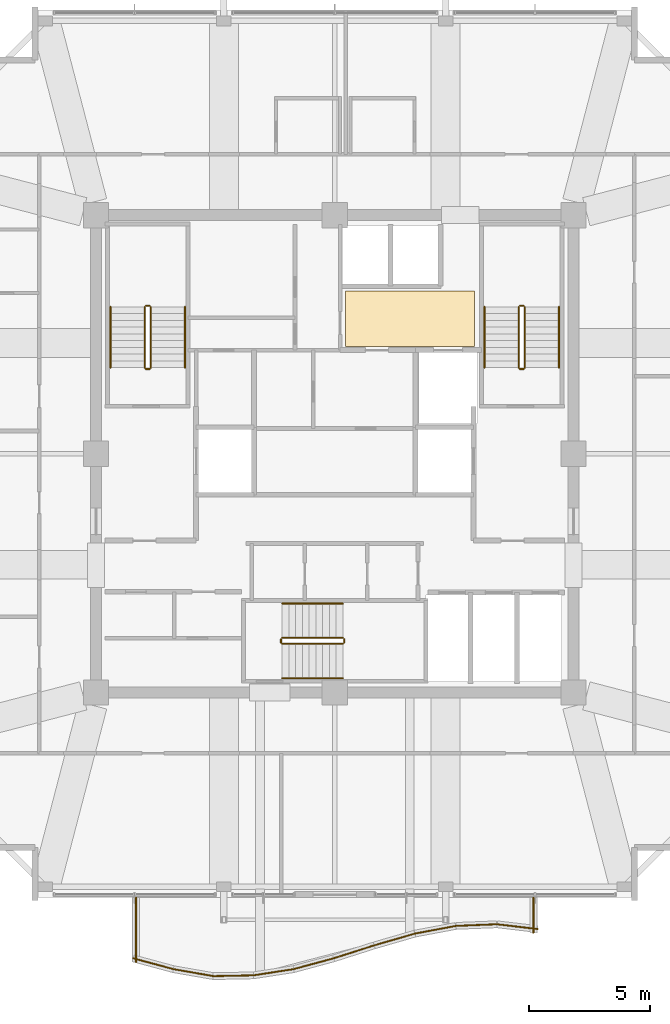
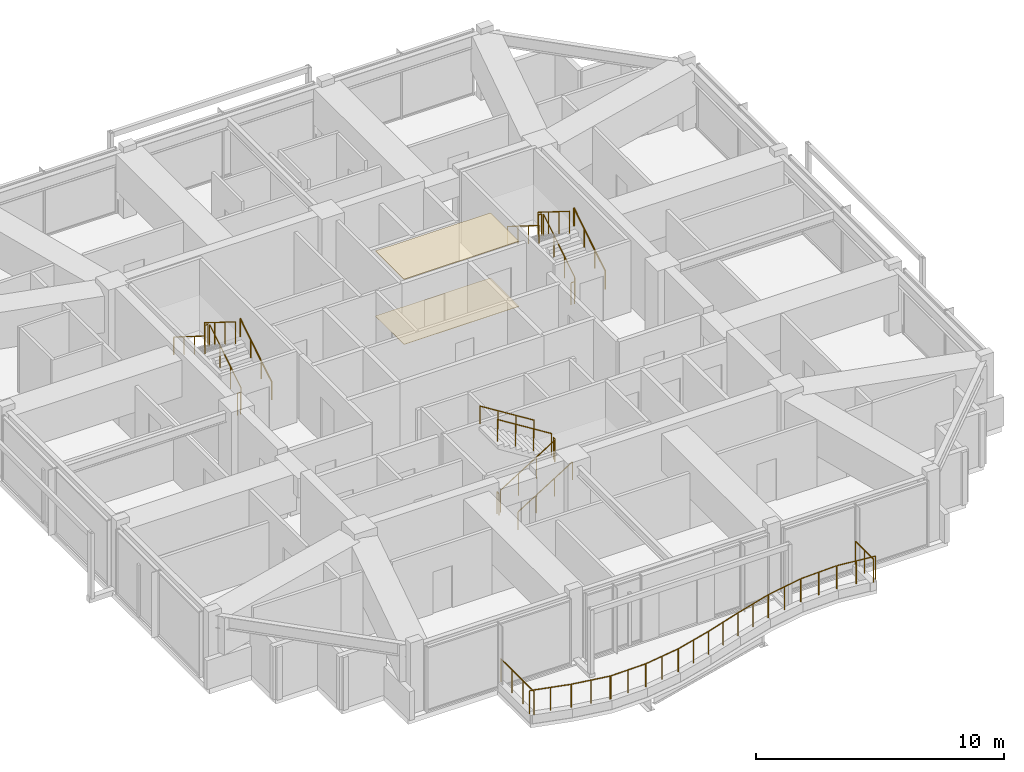
# One storey, part 30 of 30: 30 railings, 2 coverings.
"""IFC4 building model written with IfcOpenShell, lengths in metres."""

from ifc_helpers import new_model, si_unit, direction, frame, origin, origin_2d, place, context, subcontext, project, spatial, polyline, circle, outline, extrude, material, layer, layer_set, type_object, element, save


model = new_model("IFC4")

# Units and contexts
model_context = context("Model", 3, precision=1e-05, world=origin(), true_north=direction((0.0, 1.0)))
body_context = subcontext(model_context, "Body", "Model", "MODEL_VIEW")
ifc_project = project(units=[si_unit("LENGTHUNIT", "METRE"), si_unit("AREAUNIT", "SQUARE_METRE"), si_unit("VOLUMEUNIT", "CUBIC_METRE"), si_unit("PLANEANGLEUNIT", "RADIAN"), si_unit("MASSUNIT", "GRAM", prefix="KILO")], contexts=[model_context])

# Site, building, storey
site_placement = place(None, origin())
site = spatial("IfcSite", under=ifc_project, at=site_placement, CompositionType="ELEMENT")
building_placement = place(site_placement, origin())
building = spatial("IfcBuilding", under=site, at=building_placement, Name="Kolvaren Belvedere", CompositionType="ELEMENT")
storey_placement = place(building_placement, frame((0.0, 0.0, 254.89990234375)))
storey = spatial("IfcBuildingStorey", under=building, at=storey_placement, Name="L74", CompositionType="ELEMENT", Elevation=254.89990234375)

# Coverings
ifc_material_1 = material(Name="Acoustic perforated gypsum board", Category="gypsum")
ifc_layer_1 = layer(ifc_material_1, 0.02490234375)
ifc_layer_set_1 = layer_set([ifc_layer_1], Name="Acoustic perforated gypsum board")
covering_type_1 = type_object("IfcCoveringType", Name="COV-CEIL-GYP", PredefinedType="CEILING", material=ifc_layer_set_1)
covering_1_placement = place(storey_placement, frame((0.0, 0.0, 3.195068359375)))
element("IfcCovering", 1, at=covering_1_placement, inside=storey, type_object=covering_type_1, Name="L74 Lift Lobby Acoustic Baffle Ceiling", PredefinedType="CEILING", context=body_context, shape_type="SweptSolid", body=[
    extrude(outline(polyline([(0.449951171875, 4.449951171875), (5.800048828125, 4.449951171875), (5.800048828125, 6.75), (0.449951171875, 6.75), (0.449951171875, 4.449951171875)])), origin(), (0.0, 0.0, 1.0), 0.025146484375),
])
ifc_material_2 = material(Name="Engineered Pacific white oak", Category="timber")
ifc_layer_2 = layer(ifc_material_2, 0.02001953125)
ifc_layer_set_2 = layer_set([ifc_layer_2], Name="Engineered Pacific white oak")
covering_type_2 = type_object("IfcCoveringType", Name="COV-FLR-OAK", PredefinedType="FLOORING", material=ifc_layer_set_2)
covering_2_placement = place(storey_placement, origin())
element("IfcCovering", 2, at=covering_2_placement, inside=storey, type_object=covering_type_2, Name="L74 Lift Lobby Finish Flooring", PredefinedType="FLOORING", context=body_context, shape_type="SweptSolid", body=[
    extrude(outline(polyline([(0.449951171875, 4.449951171875), (5.800048828125, 4.449951171875), (5.800048828125, 6.75), (0.449951171875, 6.75), (0.449951171875, 4.449951171875)])), origin(), (0.0, 0.0, 1.0), 0.02001953125),
])

# Railings
ifc_material_3 = material(Name="Anodised pale-metal aluminium & laminated glass guard", Category="aluminium")
railing_type_1 = type_object("IfcRailingType", Name="RL-GUARD-1150", PredefinedType="GUARDRAIL", material=ifc_material_3)
railing_1_placement = place(storey_placement, frame((-8.3583984375, -20.919189453125, 0.35009765625)))
element("IfcRailing", 3, at=railing_1_placement, inside=storey, type_object=railing_type_1, Name="L74 Exterior Deck Safety Guard BAL-S-1", PredefinedType="GUARDRAIL", context=body_context, shape_type="SweptSolid", body=[
    extrude(circle(Radius=0.02392578125, at=origin_2d()), frame((0.0, 0.0, 1.1259765625), z_axis=(0.965434024814, -0.260647546949, 0.0), x_axis=(0.260647546949, 0.965434024814, 0.0)), (0.0, 0.0, 1.0), 1.740234375),
    extrude(circle(Radius=0.02099609375, at=origin_2d()), origin(), (0.0, 0.0, 1.0), 1.101806640625),
    extrude(circle(Radius=0.02099609375, at=origin_2d()), frame((0.840087890625, -0.226806640625, 0.0)), (0.0, 0.0, 1.0), 1.101806640625),
    extrude(circle(Radius=0.02099609375, at=origin_2d()), frame((1.68017578125, -0.45361328125, 0.0)), (0.0, 0.0, 1.0), 1.101806640625),
])
railing_2_placement = place(storey_placement, frame((-6.6923828125, -21.36962890625, 0.35009765625)))
element("IfcRailing", 4, at=railing_2_placement, inside=storey, type_object=railing_type_1, Name="L74 Exterior Deck Safety Guard BAL-S-2", PredefinedType="GUARDRAIL", context=body_context, shape_type="SweptSolid", body=[
    extrude(circle(Radius=0.02392578125, at=origin_2d()), frame((0.0, 0.0, 1.1259765625), z_axis=(0.985156010777, -0.171661394699, 0.0), x_axis=(0.171661394699, 0.985156010777, 0.0)), (0.0, 0.0, 1.0), 1.705322265625),
    extrude(circle(Radius=0.02099609375, at=origin_2d()), origin(), (0.0, 0.0, 1.0), 1.101806640625),
    extrude(circle(Radius=0.02099609375, at=origin_2d()), frame((0.83984375, -0.146484375, 0.0)), (0.0, 0.0, 1.0), 1.101806640625),
    extrude(circle(Radius=0.02099609375, at=origin_2d()), frame((1.679931640625, -0.292724609375, 0.0)), (0.0, 0.0, 1.0), 1.101806640625),
])
railing_3_placement = place(storey_placement, frame((-5.043212890625, -21.659912109375, 0.35009765625)))
element("IfcRailing", 5, at=railing_3_placement, inside=storey, type_object=railing_type_1, Name="L74 Exterior Deck Safety Guard BAL-S-3", PredefinedType="GUARDRAIL", context=body_context, shape_type="SweptSolid", body=[
    extrude(circle(Radius=0.02392578125, at=origin_2d()), frame((0.0, 0.0, 1.1259765625), z_axis=(0.99979895463, 0.020051192521, 0.0), x_axis=(-0.020051192521, 0.99979895463, 0.0)), (0.0, 0.0, 1.0), 1.68017578125),
    extrude(circle(Radius=0.02099609375, at=origin_2d()), origin(), (0.0, 0.0, 1.0), 1.101806640625),
    extrude(circle(Radius=0.02099609375, at=origin_2d()), frame((0.83984375, 0.016845703125, 0.0)), (0.0, 0.0, 1.0), 1.101806640625),
    extrude(circle(Radius=0.02099609375, at=origin_2d()), frame((1.679931640625, 0.03369140625, 0.0)), (0.0, 0.0, 1.0), 1.101806640625),
])
railing_4_placement = place(storey_placement, frame((-3.384521484375, -21.6279296875, 0.35009765625)))
element("IfcRailing", 6, at=railing_4_placement, inside=storey, type_object=railing_type_1, Name="L74 Exterior Deck Safety Guard BAL-S-4", PredefinedType="GUARDRAIL", context=body_context, shape_type="SweptSolid", body=[
    extrude(circle(Radius=0.02392578125, at=origin_2d()), frame((0.0, 0.0, 1.1259765625), z_axis=(0.988345118302, 0.152229849666, 0.0), x_axis=(-0.152229849666, 0.988345118302, 0.0)), (0.0, 0.0, 1.0), 1.699951171875),
    extrude(circle(Radius=0.02099609375, at=origin_2d()), origin(), (0.0, 0.0, 1.0), 1.101806640625),
    extrude(circle(Radius=0.02099609375, at=origin_2d()), frame((0.840087890625, 0.12939453125, 0.0)), (0.0, 0.0, 1.0), 1.101806640625),
    extrude(circle(Radius=0.02099609375, at=origin_2d()), frame((1.68017578125, 0.2587890625, 0.0)), (0.0, 0.0, 1.0), 1.101806640625),
])
railing_5_placement = place(storey_placement, frame((-1.7216796875, -21.372802734375, 0.35009765625)))
element("IfcRailing", 7, at=railing_5_placement, inside=storey, type_object=railing_type_1, Name="L74 Exterior Deck Safety Guard BAL-S-5", PredefinedType="GUARDRAIL", context=body_context, shape_type="SweptSolid", body=[
    extrude(circle(Radius=0.02392578125, at=origin_2d()), frame((0.0, 0.0, 1.1259765625), z_axis=(0.965424492388, 0.260682852326, 0.0), x_axis=(-0.260682852326, 0.965424492388, 0.0)), (0.0, 0.0, 1.0), 1.739990234375),
    extrude(circle(Radius=0.02099609375, at=origin_2d()), origin(), (0.0, 0.0, 1.0), 1.101806640625),
    extrude(circle(Radius=0.02099609375, at=origin_2d()), frame((0.83984375, 0.226806640625, 0.0)), (0.0, 0.0, 1.0), 1.101806640625),
    extrude(circle(Radius=0.02099609375, at=origin_2d()), frame((1.679931640625, 0.45361328125, 0.0)), (0.0, 0.0, 1.0), 1.101806640625),
])
railing_6_placement = place(storey_placement, frame((-0.048583984375, -20.92138671875, 0.35009765625)))
element("IfcRailing", 8, at=railing_6_placement, inside=storey, type_object=railing_type_1, Name="L74 Exterior Deck Safety Guard BAL-S-6", PredefinedType="GUARDRAIL", context=body_context, shape_type="SweptSolid", body=[
    extrude(circle(Radius=0.02392578125, at=origin_2d()), frame((0.0, 0.0, 1.1259765625), z_axis=(0.952661770826, 0.304032153573, 0.0), x_axis=(-0.304032153573, 0.952661770826, 0.0)), (0.0, 0.0, 1.0), 1.763427734375),
    extrude(circle(Radius=0.02099609375, at=origin_2d()), origin(), (0.0, 0.0, 1.0), 1.101806640625),
    extrude(circle(Radius=0.02099609375, at=origin_2d()), frame((0.83984375, 0.26806640625, 0.0)), (0.0, 0.0, 1.0), 1.101806640625),
    extrude(circle(Radius=0.02099609375, at=origin_2d()), frame((1.679931640625, 0.5361328125, 0.0)), (0.0, 0.0, 1.0), 1.101806640625),
])
railing_7_placement = place(storey_placement, frame((1.635498046875, -20.3837890625, 0.35009765625)))
element("IfcRailing", 9, at=railing_7_placement, inside=storey, type_object=railing_type_1, Name="L74 Exterior Deck Safety Guard BAL-S-7", PredefinedType="GUARDRAIL", context=body_context, shape_type="SweptSolid", body=[
    extrude(circle(Radius=0.02392578125, at=origin_2d()), frame((0.0, 0.0, 1.1259765625), z_axis=(0.960633903819, 0.277817391164, 0.0), x_axis=(-0.277817391164, 0.960633903819, 0.0)), (0.0, 0.0, 1.0), 1.748779296875),
    extrude(circle(Radius=0.02099609375, at=origin_2d()), origin(), (0.0, 0.0, 1.0), 1.101806640625),
    extrude(circle(Radius=0.02099609375, at=origin_2d()), frame((0.83984375, 0.242919921875, 0.0)), (0.0, 0.0, 1.0), 1.101806640625),
    extrude(circle(Radius=0.02099609375, at=origin_2d()), frame((1.679931640625, 0.48583984375, 0.0)), (0.0, 0.0, 1.0), 1.101806640625),
])
railing_8_placement = place(storey_placement, frame((3.330322265625, -19.894287109375, 0.35009765625)))
element("IfcRailing", 10, at=railing_8_placement, inside=storey, type_object=railing_type_1, Name="L74 Exterior Deck Safety Guard BAL-S-8", PredefinedType="GUARDRAIL", context=body_context, shape_type="SweptSolid", body=[
    extrude(circle(Radius=0.02392578125, at=origin_2d()), frame((0.0, 0.0, 1.1259765625), z_axis=(0.982804219087, 0.184650661912, 0.0), x_axis=(-0.184650661912, 0.982804219087, 0.0)), (0.0, 0.0, 1.0), 1.70947265625),
    extrude(circle(Radius=0.02099609375, at=origin_2d()), origin(), (0.0, 0.0, 1.0), 1.101806640625),
    extrude(circle(Radius=0.02099609375, at=origin_2d()), frame((0.840087890625, 0.15771484375, 0.0)), (0.0, 0.0, 1.0), 1.101806640625),
    extrude(circle(Radius=0.02099609375, at=origin_2d()), frame((1.68017578125, 0.315673828125, 0.0)), (0.0, 0.0, 1.0), 1.101806640625),
])
railing_9_placement = place(storey_placement, frame((5.03369140625, -19.575927734375, 0.35009765625)))
element("IfcRailing", 11, at=railing_9_placement, inside=storey, type_object=railing_type_1, Name="L74 Exterior Deck Safety Guard BAL-S-9", PredefinedType="GUARDRAIL", context=body_context, shape_type="SweptSolid", body=[
    extrude(circle(Radius=0.02392578125, at=origin_2d()), frame((0.0, 0.0, 1.1259765625), z_axis=(0.999196545286, 0.040078222133, 0.0), x_axis=(-0.040078222133, 0.999196545286, 0.0)), (0.0, 0.0, 1.0), 1.681396484375),
    extrude(circle(Radius=0.02099609375, at=origin_2d()), origin(), (0.0, 0.0, 1.0), 1.101806640625),
    extrude(circle(Radius=0.02099609375, at=origin_2d()), frame((0.83984375, 0.03369140625, 0.0)), (0.0, 0.0, 1.0), 1.101806640625),
    extrude(circle(Radius=0.02099609375, at=origin_2d()), frame((1.679931640625, 0.0673828125, 0.0)), (0.0, 0.0, 1.0), 1.101806640625),
])
railing_10_placement = place(storey_placement, frame((6.73876953125, -19.509521484375, 0.35009765625)))
element("IfcRailing", 12, at=railing_10_placement, inside=storey, type_object=railing_type_1, Name="L74 Exterior Deck Safety Guard BAL-S-10", PredefinedType="GUARDRAIL", context=body_context, shape_type="SweptSolid", body=[
    extrude(circle(Radius=0.02392578125, at=origin_2d()), frame((0.0, 0.0, 1.1259765625), z_axis=(0.993125952783, -0.11705059551, 0.0), x_axis=(0.11705059551, 0.993125952783, 0.0)), (0.0, 0.0, 1.0), 1.691650390625),
    extrude(circle(Radius=0.02099609375, at=origin_2d()), origin(), (0.0, 0.0, 1.0), 1.101806640625),
    extrude(circle(Radius=0.02099609375, at=origin_2d()), frame((0.83984375, -0.09912109375, 0.0)), (0.0, 0.0, 1.0), 1.101806640625),
    extrude(circle(Radius=0.02099609375, at=origin_2d()), frame((1.679931640625, -0.197998046875, 0.0)), (0.0, 0.0, 1.0), 1.101806640625),
])
railing_11_placement = place(storey_placement, frame((8.239990234375, -19.8662109375, 0.35009765625)))
element("IfcRailing", 13, at=railing_11_placement, inside=storey, type_object=railing_type_1, Name="L74 Exterior Deck Safety Guard BAL-S-11", PredefinedType="GUARDRAIL", context=body_context, shape_type="SweptSolid", body=[
    extrude(circle(Radius=0.02392578125, at=origin_2d()), frame((0.0, 0.0, 1.1259765625), z_axis=(0.0, 1.0, 0.0), x_axis=(-1.0, 0.0, 0.0)), (0.0, 0.0, 1.0), 1.46630859375),
    extrude(circle(Radius=0.02099609375, at=origin_2d()), origin(), (0.0, 0.0, 1.0), 1.101806640625),
    extrude(circle(Radius=0.02099609375, at=origin_2d()), frame((0.0, 0.733154296875, 0.0)), (0.0, 0.0, 1.0), 1.101806640625),
    extrude(circle(Radius=0.02099609375, at=origin_2d()), frame((0.0, 1.46630859375, 0.0)), (0.0, 0.0, 1.0), 1.101806640625),
])
railing_12_placement = place(storey_placement, frame((-8.239990234375, -18.39990234375, 0.35009765625)))
element("IfcRailing", 14, at=railing_12_placement, inside=storey, type_object=railing_type_1, Name="L74 Exterior Deck Safety Guard BAL-S-22", PredefinedType="GUARDRAIL", context=body_context, shape_type="SweptSolid", body=[
    extrude(circle(Radius=0.02392578125, at=origin_2d()), frame((0.0, 0.0, 1.1259765625), z_axis=(0.0, -1.0, 0.0), x_axis=(1.0, 0.0, 0.0)), (0.0, 0.0, 1.0), 2.673828125),
    extrude(circle(Radius=0.02099609375, at=origin_2d()), origin(), (0.0, 0.0, 1.0), 1.101806640625),
    extrude(circle(Radius=0.02099609375, at=origin_2d()), frame((0.0, -0.891357421875, 0.0)), (0.0, 0.0, 1.0), 1.101806640625),
    extrude(circle(Radius=0.02099609375, at=origin_2d()), frame((0.0, -1.782470703125, 0.0)), (0.0, 0.0, 1.0), 1.101806640625),
    extrude(circle(Radius=0.02099609375, at=origin_2d()), frame((0.0, -2.673828125, 0.0)), (0.0, 0.0, 1.0), 1.101806640625),
])
ifc_material_4 = material(Name="Brushed stainless-steel handrail", Category="steel")
railing_type_2 = type_object("IfcRailingType", Name="RL-HANDRAIL-920", PredefinedType="HANDRAIL", material=ifc_material_4)
railing_13_placement = place(storey_placement, frame((-6.2099609375, 3.570068359375, 0.175048828125)))
element("IfcRailing", 15, at=railing_13_placement, inside=storey, type_object=railing_type_2, Name="L74 ST-1 stair handrail 1", PredefinedType="HANDRAIL", context=body_context, shape_type="SweptSolid", body=[
    extrude(circle(Radius=0.02392578125, at=origin_2d()), frame((0.0, 0.0, 0.8759765625), z_axis=(0.0, 0.848007534815, 0.529984170421), x_axis=(-1.0, 0.0, 0.0)), (0.0, 0.0, 1.0), 2.9716796875),
    extrude(circle(Radius=0.02099609375, at=origin_2d()), origin(), (0.0, 0.0, 1.0), 0.851806640625),
    extrude(circle(Radius=0.02099609375, at=origin_2d()), frame((0.0, 0.840087890625, 0.52490234375)), (0.0, 0.0, 1.0), 0.851806640625),
    extrude(circle(Radius=0.02099609375, at=origin_2d()), frame((0.0, 1.679931640625, 1.050048828125)), (0.0, 0.0, 1.0), 0.851806640625),
    extrude(circle(Radius=0.02099609375, at=origin_2d()), frame((0.0, 2.52001953125, 1.574951171875)), (0.0, 0.0, 1.0), 0.851806640625),
])
railing_14_placement = place(storey_placement, frame((-9.300048828125, 6.090087890625, 1.925048828125)))
element("IfcRailing", 16, at=railing_14_placement, inside=storey, type_object=railing_type_2, Name="L74 ST-1 stair handrail 2", PredefinedType="HANDRAIL", context=body_context, shape_type="SweptSolid", body=[
    extrude(circle(Radius=0.02392578125, at=origin_2d()), frame((0.0, 0.0, 0.8759765625), z_axis=(0.0, -0.848007534815, 0.529984170421), x_axis=(1.0, 0.0, 0.0)), (0.0, 0.0, 1.0), 2.9716796875),
    extrude(circle(Radius=0.02099609375, at=origin_2d()), origin(), (0.0, 0.0, 1.0), 0.851806640625),
    extrude(circle(Radius=0.02099609375, at=origin_2d()), frame((0.0, -0.840087890625, 0.52490234375)), (0.0, 0.0, 1.0), 0.851806640625),
    extrude(circle(Radius=0.02099609375, at=origin_2d()), frame((0.0, -1.679931640625, 1.050048828125)), (0.0, 0.0, 1.0), 0.851806640625),
    extrude(circle(Radius=0.02099609375, at=origin_2d()), frame((0.0, -2.52001953125, 1.574951171875)), (0.0, 0.0, 1.0), 0.851806640625),
])
railing_15_placement = place(storey_placement, frame((9.300048828125, 3.570068359375, 0.175048828125)))
element("IfcRailing", 17, at=railing_15_placement, inside=storey, type_object=railing_type_2, Name="L74 ST-2 stair handrail 1", PredefinedType="HANDRAIL", context=body_context, shape_type="SweptSolid", body=[
    extrude(circle(Radius=0.02392578125, at=origin_2d()), frame((0.0, 0.0, 0.8759765625), z_axis=(0.0, 0.848007534815, 0.529984170421), x_axis=(-1.0, 0.0, 0.0)), (0.0, 0.0, 1.0), 2.9716796875),
    extrude(circle(Radius=0.02099609375, at=origin_2d()), origin(), (0.0, 0.0, 1.0), 0.851806640625),
    extrude(circle(Radius=0.02099609375, at=origin_2d()), frame((0.0, 0.840087890625, 0.52490234375)), (0.0, 0.0, 1.0), 0.851806640625),
    extrude(circle(Radius=0.02099609375, at=origin_2d()), frame((0.0, 1.679931640625, 1.050048828125)), (0.0, 0.0, 1.0), 0.851806640625),
    extrude(circle(Radius=0.02099609375, at=origin_2d()), frame((0.0, 2.52001953125, 1.574951171875)), (0.0, 0.0, 1.0), 0.851806640625),
])
railing_16_placement = place(storey_placement, frame((6.2099609375, 6.090087890625, 1.925048828125)))
element("IfcRailing", 18, at=railing_16_placement, inside=storey, type_object=railing_type_2, Name="L74 ST-2 stair handrail 2", PredefinedType="HANDRAIL", context=body_context, shape_type="SweptSolid", body=[
    extrude(circle(Radius=0.02392578125, at=origin_2d()), frame((0.0, 0.0, 0.8759765625), z_axis=(0.0, -0.848007534815, 0.529984170421), x_axis=(1.0, 0.0, 0.0)), (0.0, 0.0, 1.0), 2.9716796875),
    extrude(circle(Radius=0.02099609375, at=origin_2d()), origin(), (0.0, 0.0, 1.0), 0.851806640625),
    extrude(circle(Radius=0.02099609375, at=origin_2d()), frame((0.0, -0.840087890625, 0.52490234375)), (0.0, 0.0, 1.0), 0.851806640625),
    extrude(circle(Radius=0.02099609375, at=origin_2d()), frame((0.0, -1.679931640625, 1.050048828125)), (0.0, 0.0, 1.0), 0.851806640625),
    extrude(circle(Radius=0.02099609375, at=origin_2d()), frame((0.0, -2.52001953125, 1.574951171875)), (0.0, 0.0, 1.0), 0.851806640625),
])
railing_17_placement = place(storey_placement, frame((-2.179931640625, -9.300048828125, 0.175048828125)))
element("IfcRailing", 19, at=railing_17_placement, inside=storey, type_object=railing_type_2, Name="L74 ST-3 stair handrail 1", PredefinedType="HANDRAIL", context=body_context, shape_type="SweptSolid", body=[
    extrude(circle(Radius=0.02392578125, at=origin_2d()), frame((0.0, 0.0, 0.8759765625), z_axis=(0.848007534815, 0.0, 0.529984170421), x_axis=(0.0, 1.0, 0.0)), (0.0, 0.0, 1.0), 2.9716796875),
    extrude(circle(Radius=0.02099609375, at=origin_2d()), origin(), (0.0, 0.0, 1.0), 0.851806640625),
    extrude(circle(Radius=0.02099609375, at=origin_2d()), frame((0.840087890625, 0.0, 0.52490234375)), (0.0, 0.0, 1.0), 0.851806640625),
    extrude(circle(Radius=0.02099609375, at=origin_2d()), frame((1.679931640625, 0.0, 1.050048828125)), (0.0, 0.0, 1.0), 0.851806640625),
    extrude(circle(Radius=0.02099609375, at=origin_2d()), frame((2.52001953125, 0.0, 1.574951171875)), (0.0, 0.0, 1.0), 0.851806640625),
])
railing_18_placement = place(storey_placement, frame((0.340087890625, -6.2099609375, 1.925048828125)))
element("IfcRailing", 20, at=railing_18_placement, inside=storey, type_object=railing_type_2, Name="L74 ST-3 stair handrail 2", PredefinedType="HANDRAIL", context=body_context, shape_type="SweptSolid", body=[
    extrude(circle(Radius=0.02392578125, at=origin_2d()), frame((0.0, 0.0, 0.8759765625), z_axis=(-0.848007534815, 0.0, 0.529984170421), x_axis=(0.0, -1.0, 0.0)), (0.0, 0.0, 1.0), 2.9716796875),
    extrude(circle(Radius=0.02099609375, at=origin_2d()), origin(), (0.0, 0.0, 1.0), 0.851806640625),
    extrude(circle(Radius=0.02099609375, at=origin_2d()), frame((-0.840087890625, 0.0, 0.52490234375)), (0.0, 0.0, 1.0), 0.851806640625),
    extrude(circle(Radius=0.02099609375, at=origin_2d()), frame((-1.679931640625, 0.0, 1.050048828125)), (0.0, 0.0, 1.0), 0.851806640625),
    extrude(circle(Radius=0.02099609375, at=origin_2d()), frame((-2.52001953125, 0.0, 1.574951171875)), (0.0, 0.0, 1.0), 0.851806640625),
])
ifc_material_5 = material(Name="Painted tubular steel stair guard", Category="steel")
railing_type_3 = type_object("IfcRailingType", Name="RL-STGUARD-1100", PredefinedType="GUARDRAIL", material=ifc_material_5)
railing_19_placement = place(storey_placement, frame((-7.6298828125, 3.570068359375, 0.175048828125)))
element("IfcRailing", 21, at=railing_19_placement, inside=storey, type_object=railing_type_3, Name="L74 ST-1 stair guard 1", PredefinedType="GUARDRAIL", context=body_context, shape_type="SweptSolid", body=[
    extrude(circle(Radius=0.02392578125, at=origin_2d()), frame((0.0, 0.0, 1.076171875), z_axis=(0.0, 0.848007534815, 0.529984170421), x_axis=(-1.0, 0.0, 0.0)), (0.0, 0.0, 1.0), 2.9716796875),
    extrude(circle(Radius=0.02099609375, at=origin_2d()), origin(), (0.0, 0.0, 1.0), 1.052001953125),
    extrude(circle(Radius=0.02099609375, at=origin_2d()), frame((0.0, 0.840087890625, 0.52490234375)), (0.0, 0.0, 1.0), 1.052001953125),
    extrude(circle(Radius=0.02099609375, at=origin_2d()), frame((0.0, 1.679931640625, 1.050048828125)), (0.0, 0.0, 1.0), 1.052001953125),
    extrude(circle(Radius=0.02099609375, at=origin_2d()), frame((0.0, 2.52001953125, 1.574951171875)), (0.0, 0.0, 1.0), 1.052001953125),
])
railing_20_placement = place(storey_placement, frame((-7.679931640625, 6.139892578125, 1.75)))
element("IfcRailing", 22, at=railing_20_placement, inside=storey, type_object=railing_type_3, Name="L74 ST-1 stair guard 2", PredefinedType="GUARDRAIL", context=body_context, shape_type="SweptSolid", body=[
    extrude(circle(Radius=0.02392578125, at=origin_2d()), frame((0.0, 0.0, 1.076171875), z_axis=(-1.0, 0.0, 0.0), x_axis=(0.0, -1.0, 0.0)), (0.0, 0.0, 1.0), 0.150146484375),
    extrude(circle(Radius=0.02099609375, at=origin_2d()), origin(), (0.0, 0.0, 1.0), 1.052001953125),
    extrude(circle(Radius=0.02099609375, at=origin_2d()), frame((-0.150146484375, 0.0, 0.0)), (0.0, 0.0, 1.0), 1.052001953125),
])
railing_21_placement = place(storey_placement, frame((-7.8798828125, 6.090087890625, 1.925048828125)))
element("IfcRailing", 23, at=railing_21_placement, inside=storey, type_object=railing_type_3, Name="L74 ST-1 stair guard 3", PredefinedType="GUARDRAIL", context=body_context, shape_type="SweptSolid", body=[
    extrude(circle(Radius=0.02392578125, at=origin_2d()), frame((0.0, 0.0, 1.076171875), z_axis=(0.0, -0.848007534815, 0.529984170421), x_axis=(1.0, 0.0, 0.0)), (0.0, 0.0, 1.0), 2.9716796875),
    extrude(circle(Radius=0.02099609375, at=origin_2d()), origin(), (0.0, 0.0, 1.0), 1.052001953125),
    extrude(circle(Radius=0.02099609375, at=origin_2d()), frame((0.0, -0.840087890625, 0.52490234375)), (0.0, 0.0, 1.0), 1.052001953125),
    extrude(circle(Radius=0.02099609375, at=origin_2d()), frame((0.0, -1.679931640625, 1.050048828125)), (0.0, 0.0, 1.0), 1.052001953125),
    extrude(circle(Radius=0.02099609375, at=origin_2d()), frame((0.0, -2.52001953125, 1.574951171875)), (0.0, 0.0, 1.0), 1.052001953125),
])
railing_22_placement = place(storey_placement, frame((-7.679931640625, 3.52001953125, 0.0)))
element("IfcRailing", 24, at=railing_22_placement, inside=storey, type_object=railing_type_3, Name="L74 ST-1 stair guard 4", PredefinedType="GUARDRAIL", context=body_context, shape_type="SweptSolid", body=[
    extrude(circle(Radius=0.02392578125, at=origin_2d()), frame((0.0, 0.0, 1.076171875), z_axis=(-1.0, 0.0, 0.0), x_axis=(0.0, -1.0, 0.0)), (0.0, 0.0, 1.0), 0.150146484375),
    extrude(circle(Radius=0.02099609375, at=origin_2d()), origin(), (0.0, 0.0, 1.0), 1.052001953125),
    extrude(circle(Radius=0.02099609375, at=origin_2d()), frame((-0.150146484375, 0.0, 0.0)), (0.0, 0.0, 1.0), 1.052001953125),
])
railing_23_placement = place(storey_placement, frame((7.8798828125, 3.570068359375, 0.175048828125)))
element("IfcRailing", 25, at=railing_23_placement, inside=storey, type_object=railing_type_3, Name="L74 ST-2 stair guard 1", PredefinedType="GUARDRAIL", context=body_context, shape_type="SweptSolid", body=[
    extrude(circle(Radius=0.02392578125, at=origin_2d()), frame((0.0, 0.0, 1.076171875), z_axis=(0.0, 0.848007534815, 0.529984170421), x_axis=(-1.0, 0.0, 0.0)), (0.0, 0.0, 1.0), 2.9716796875),
    extrude(circle(Radius=0.02099609375, at=origin_2d()), origin(), (0.0, 0.0, 1.0), 1.052001953125),
    extrude(circle(Radius=0.02099609375, at=origin_2d()), frame((0.0, 0.840087890625, 0.52490234375)), (0.0, 0.0, 1.0), 1.052001953125),
    extrude(circle(Radius=0.02099609375, at=origin_2d()), frame((0.0, 1.679931640625, 1.050048828125)), (0.0, 0.0, 1.0), 1.052001953125),
    extrude(circle(Radius=0.02099609375, at=origin_2d()), frame((0.0, 2.52001953125, 1.574951171875)), (0.0, 0.0, 1.0), 1.052001953125),
])
railing_24_placement = place(storey_placement, frame((7.830078125, 6.139892578125, 1.75)))
element("IfcRailing", 26, at=railing_24_placement, inside=storey, type_object=railing_type_3, Name="L74 ST-2 stair guard 2", PredefinedType="GUARDRAIL", context=body_context, shape_type="SweptSolid", body=[
    extrude(circle(Radius=0.02392578125, at=origin_2d()), frame((0.0, 0.0, 1.076171875), z_axis=(-1.0, 0.0, 0.0), x_axis=(0.0, -1.0, 0.0)), (0.0, 0.0, 1.0), 0.150146484375),
    extrude(circle(Radius=0.02099609375, at=origin_2d()), origin(), (0.0, 0.0, 1.0), 1.052001953125),
    extrude(circle(Radius=0.02099609375, at=origin_2d()), frame((-0.150146484375, 0.0, 0.0)), (0.0, 0.0, 1.0), 1.052001953125),
])
railing_25_placement = place(storey_placement, frame((7.6298828125, 6.090087890625, 1.925048828125)))
element("IfcRailing", 27, at=railing_25_placement, inside=storey, type_object=railing_type_3, Name="L74 ST-2 stair guard 3", PredefinedType="GUARDRAIL", context=body_context, shape_type="SweptSolid", body=[
    extrude(circle(Radius=0.02392578125, at=origin_2d()), frame((0.0, 0.0, 1.076171875), z_axis=(0.0, -0.848007534815, 0.529984170421), x_axis=(1.0, 0.0, 0.0)), (0.0, 0.0, 1.0), 2.9716796875),
    extrude(circle(Radius=0.02099609375, at=origin_2d()), origin(), (0.0, 0.0, 1.0), 1.052001953125),
    extrude(circle(Radius=0.02099609375, at=origin_2d()), frame((0.0, -0.840087890625, 0.52490234375)), (0.0, 0.0, 1.0), 1.052001953125),
    extrude(circle(Radius=0.02099609375, at=origin_2d()), frame((0.0, -1.679931640625, 1.050048828125)), (0.0, 0.0, 1.0), 1.052001953125),
    extrude(circle(Radius=0.02099609375, at=origin_2d()), frame((0.0, -2.52001953125, 1.574951171875)), (0.0, 0.0, 1.0), 1.052001953125),
])
railing_26_placement = place(storey_placement, frame((7.830078125, 3.52001953125, 0.0)))
element("IfcRailing", 28, at=railing_26_placement, inside=storey, type_object=railing_type_3, Name="L74 ST-2 stair guard 4", PredefinedType="GUARDRAIL", context=body_context, shape_type="SweptSolid", body=[
    extrude(circle(Radius=0.02392578125, at=origin_2d()), frame((0.0, 0.0, 1.076171875), z_axis=(-1.0, 0.0, 0.0), x_axis=(0.0, -1.0, 0.0)), (0.0, 0.0, 1.0), 0.150146484375),
    extrude(circle(Radius=0.02099609375, at=origin_2d()), origin(), (0.0, 0.0, 1.0), 1.052001953125),
    extrude(circle(Radius=0.02099609375, at=origin_2d()), frame((-0.150146484375, 0.0, 0.0)), (0.0, 0.0, 1.0), 1.052001953125),
])
railing_27_placement = place(storey_placement, frame((-2.179931640625, -7.8798828125, 0.175048828125)))
element("IfcRailing", 29, at=railing_27_placement, inside=storey, type_object=railing_type_3, Name="L74 ST-3 stair guard 1", PredefinedType="GUARDRAIL", context=body_context, shape_type="SweptSolid", body=[
    extrude(circle(Radius=0.02392578125, at=origin_2d()), frame((0.0, 0.0, 1.076171875), z_axis=(0.848007534815, 0.0, 0.529984170421), x_axis=(0.0, 1.0, 0.0)), (0.0, 0.0, 1.0), 2.9716796875),
    extrude(circle(Radius=0.02099609375, at=origin_2d()), origin(), (0.0, 0.0, 1.0), 1.052001953125),
    extrude(circle(Radius=0.02099609375, at=origin_2d()), frame((0.840087890625, 0.0, 0.52490234375)), (0.0, 0.0, 1.0), 1.052001953125),
    extrude(circle(Radius=0.02099609375, at=origin_2d()), frame((1.679931640625, 0.0, 1.050048828125)), (0.0, 0.0, 1.0), 1.052001953125),
    extrude(circle(Radius=0.02099609375, at=origin_2d()), frame((2.52001953125, 0.0, 1.574951171875)), (0.0, 0.0, 1.0), 1.052001953125),
])
railing_28_placement = place(storey_placement, frame((0.389892578125, -7.830078125, 1.75)))
element("IfcRailing", 30, at=railing_28_placement, inside=storey, type_object=railing_type_3, Name="L74 ST-3 stair guard 2", PredefinedType="GUARDRAIL", context=body_context, shape_type="SweptSolid", body=[
    extrude(circle(Radius=0.02392578125, at=origin_2d()), frame((0.0, 0.0, 1.076171875), z_axis=(0.0, 1.0, 0.0), x_axis=(-1.0, 0.0, 0.0)), (0.0, 0.0, 1.0), 0.150146484375),
    extrude(circle(Radius=0.02099609375, at=origin_2d()), origin(), (0.0, 0.0, 1.0), 1.052001953125),
    extrude(circle(Radius=0.02099609375, at=origin_2d()), frame((0.0, 0.150146484375, 0.0)), (0.0, 0.0, 1.0), 1.052001953125),
])
railing_29_placement = place(storey_placement, frame((0.340087890625, -7.6298828125, 1.925048828125)))
element("IfcRailing", 31, at=railing_29_placement, inside=storey, type_object=railing_type_3, Name="L74 ST-3 stair guard 3", PredefinedType="GUARDRAIL", context=body_context, shape_type="SweptSolid", body=[
    extrude(circle(Radius=0.02392578125, at=origin_2d()), frame((0.0, 0.0, 1.076171875), z_axis=(-0.848007534815, 0.0, 0.529984170421), x_axis=(0.0, -1.0, 0.0)), (0.0, 0.0, 1.0), 2.9716796875),
    extrude(circle(Radius=0.02099609375, at=origin_2d()), origin(), (0.0, 0.0, 1.0), 1.052001953125),
    extrude(circle(Radius=0.02099609375, at=origin_2d()), frame((-0.840087890625, 0.0, 0.52490234375)), (0.0, 0.0, 1.0), 1.052001953125),
    extrude(circle(Radius=0.02099609375, at=origin_2d()), frame((-1.679931640625, 0.0, 1.050048828125)), (0.0, 0.0, 1.0), 1.052001953125),
    extrude(circle(Radius=0.02099609375, at=origin_2d()), frame((-2.52001953125, 0.0, 1.574951171875)), (0.0, 0.0, 1.0), 1.052001953125),
])
railing_30_placement = place(storey_placement, frame((-2.22998046875, -7.830078125, 0.0)))
element("IfcRailing", 32, at=railing_30_placement, inside=storey, type_object=railing_type_3, Name="L74 ST-3 stair guard 4", PredefinedType="GUARDRAIL", context=body_context, shape_type="SweptSolid", body=[
    extrude(circle(Radius=0.02392578125, at=origin_2d()), frame((0.0, 0.0, 1.076171875), z_axis=(0.0, 1.0, 0.0), x_axis=(-1.0, 0.0, 0.0)), (0.0, 0.0, 1.0), 0.150146484375),
    extrude(circle(Radius=0.02099609375, at=origin_2d()), origin(), (0.0, 0.0, 1.0), 1.052001953125),
    extrude(circle(Radius=0.02099609375, at=origin_2d()), frame((0.0, 0.150146484375, 0.0)), (0.0, 0.0, 1.0), 1.052001953125),
])

save(model, "model.ifc")
